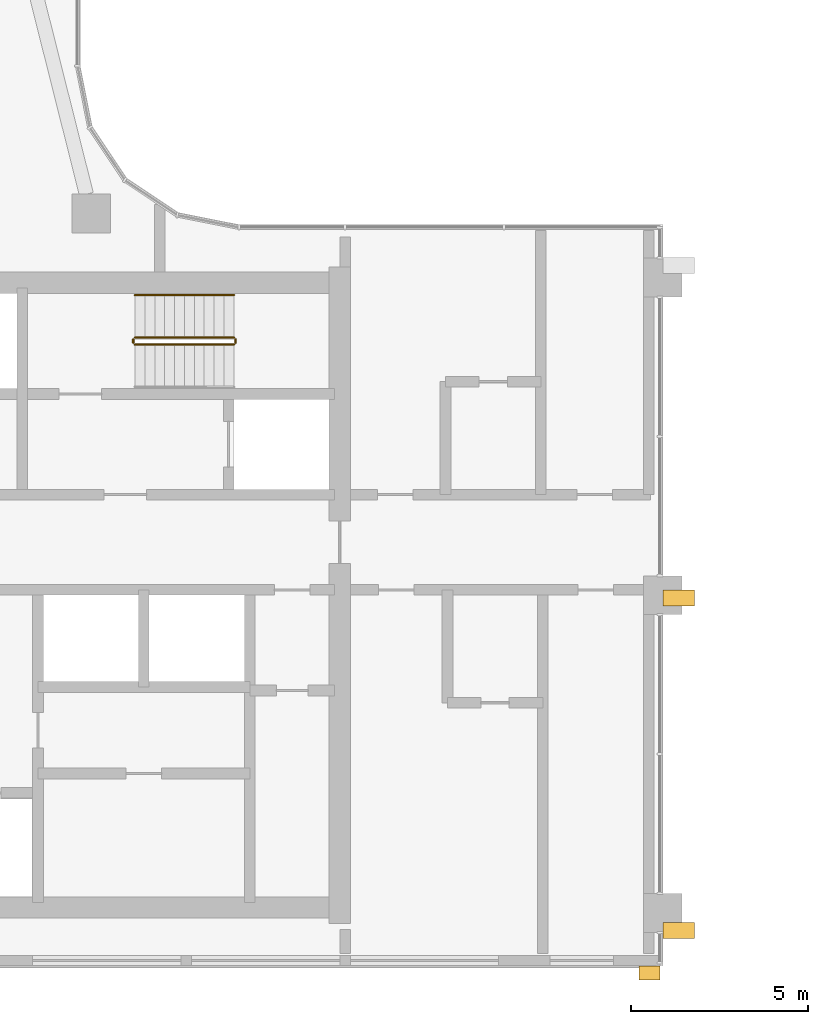
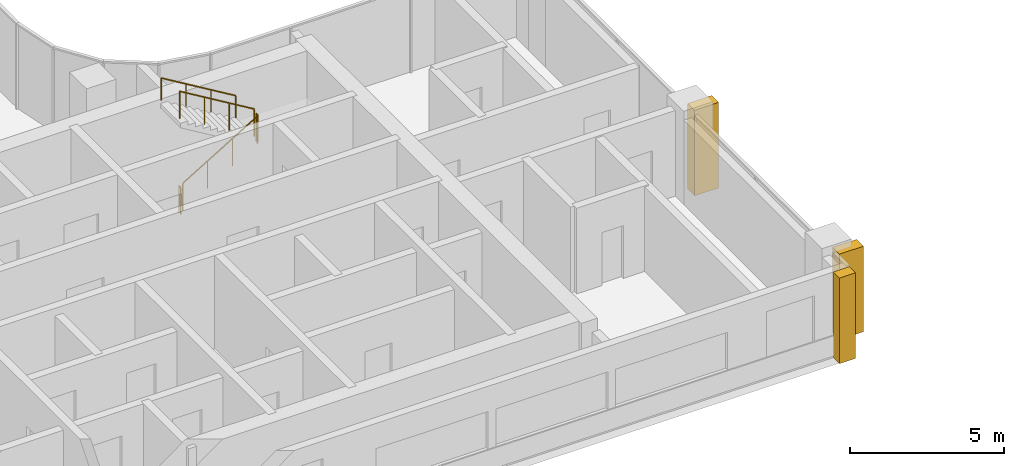
# One storey, part 20 of 23: 5 railings, 3 coverings.
"""IFC4 building model written with IfcOpenShell, lengths in metres."""

import ifcopenshell
import ifcopenshell.guid

model = None  # the IFC model being written
_history = None  # IfcOwnerHistory: only IFC2X3 demands one
_inside = {}  # id of a spatial element -> (the spatial element, [elements in it])
_under = {}  # id of a project, library or spatial element -> (it, [spatial elements below it])
_declared = {}  # id of a project -> (the project, [libraries it declares])
_typed = {}  # id of a type object -> (the type object, [elements of that type])
_made_of = {}  # id of a material, layer set ... -> (it, [elements and type objects made of it])


def new_model(schema):
    """Start an empty IFC model of exactly this schema.

    Asked for "IFC4X3", IfcOpenShell would pick the latest addendum, in which some entities
    have other attributes; the version numbers below select the first issue.
    IFC2X3 requires an IfcOwnerHistory on every rooted entity: one is made here for all.
    """
    global model, _history
    if schema == "IFC4X3":
        model = ifcopenshell.file(schema_version=(4, 3, 0, 0))
    else:
        model = ifcopenshell.file(schema=schema)
    _inside.clear()
    _under.clear()
    _declared.clear()
    _typed.clear()
    _made_of.clear()
    _history = None
    if model.schema == "IFC2X3":
        org = make("IfcOrganization", Name="unknown")
        user = make(
            "IfcPersonAndOrganization",
            ThePerson=make("IfcPerson", FamilyName="unknown"),
            TheOrganization=org,
        )
        app = make(
            "IfcApplication",
            ApplicationDeveloper=org,
            Version="unknown",
            ApplicationFullName="unknown",
            ApplicationIdentifier="unknown",
        )
        _history = make(
            "IfcOwnerHistory",
            OwningUser=user,
            OwningApplication=app,
            ChangeAction="ADDED",
            CreationDate=0,
        )
    return model


def make(cls, **values):
    """One entity of the class cls with the attributes given. An attribute that is None is left unset."""
    return model.create_entity(
        cls, **{name: value for name, value in values.items() if value is not None}
    )


def rooted(cls, **values):
    """An entity with a GlobalId (a new one), such as an element, a storey or a relation."""
    return make(cls, GlobalId=ifcopenshell.guid.new(), OwnerHistory=_history, **values)


def si_unit(unit_type, name, prefix=None):
    """IfcSIUnit, for example si_unit("LENGTHUNIT", "METRE", prefix="MILLI")."""
    return make("IfcSIUnit", UnitType=unit_type, Prefix=prefix, Name=name)


def assignment(units):
    """IfcUnitAssignment: the units of a project."""
    return None if units is None else make("IfcUnitAssignment", Units=units)


def point(xyz):
    """IfcCartesianPoint."""
    return None if xyz is None else make("IfcCartesianPoint", Coordinates=xyz)


def direction(xyz):
    """IfcDirection."""
    return None if xyz is None else make("IfcDirection", DirectionRatios=xyz)


def frame(location, z_axis=None, x_axis=None):
    """IfcAxis2Placement3D, a coordinate frame: its origin and axes. An axis left out is left unset."""
    return make(
        "IfcAxis2Placement3D",
        Location=point(location),
        Axis=direction(z_axis),
        RefDirection=direction(x_axis),
    )


def frame_2d(location, x_axis=None):
    """IfcAxis2Placement2D, a coordinate frame in the plane: its origin and x axis."""
    return make(
        "IfcAxis2Placement2D", Location=point(location), RefDirection=direction(x_axis)
    )


def origin():
    """The frame at (0, 0, 0) with its axes left unset."""
    return frame((0.0, 0.0, 0.0))


def origin_2d():
    """The frame at (0, 0) in the plane with its x axis left unset."""
    return frame_2d((0.0, 0.0))


def place(relative_to, where):
    """IfcLocalPlacement: puts the frame where relative to a parent placement (None: the world)."""
    return make(
        "IfcLocalPlacement", PlacementRelTo=relative_to, RelativePlacement=where
    )


def context(
    kind, dimensions, precision=None, world=None, true_north=None, identifier=None
):
    """IfcGeometricRepresentationContext, for example the 3D "Model" context."""
    return make(
        "IfcGeometricRepresentationContext",
        ContextIdentifier=identifier,
        ContextType=kind,
        CoordinateSpaceDimension=dimensions,
        Precision=precision,
        WorldCoordinateSystem=world,
        TrueNorth=true_north,
    )


def subcontext(parent, identifier, kind, view, scale=None):
    """IfcGeometricRepresentationSubContext, for example "Body" below "Model"."""
    return make(
        "IfcGeometricRepresentationSubContext",
        ContextIdentifier=identifier,
        ContextType=kind,
        ParentContext=parent,
        TargetScale=scale,
        TargetView=view,
    )


def project(units=None, contexts=None):
    """IfcProject with its units and contexts."""
    return rooted(
        "IfcProject",
        Name="project",
        RepresentationContexts=contexts,
        UnitsInContext=assignment(units),
    )


def spatial(cls, under=None, at=None, **own):
    """A site, building, storey or space (cls), placed at a placement, below another one or the project."""
    s = rooted(cls, ObjectPlacement=at, **own)
    if under is not None:
        _under.setdefault(under.id(), (under, []))[1].append(s)
    return s


def profile(cls, at=None, kind="AREA", **sizes):
    """A parametric profile (cls). Its sizes go by their IFC names, for example OverallWidth=200.0."""
    return make(cls, ProfileType=kind, Position=at, **sizes)


def rectangle(**sizes):
    """IfcRectangleProfileDef."""
    return profile("IfcRectangleProfileDef", **sizes)


def circle(**sizes):
    """IfcCircleProfileDef."""
    return profile("IfcCircleProfileDef", **sizes)


def extrude(swept, where, along, depth):
    """IfcExtrudedAreaSolid: the profile swept, set in the frame where, extruded along a direction by depth."""
    return make(
        "IfcExtrudedAreaSolid",
        SweptArea=swept,
        Position=where,
        ExtrudedDirection=direction(along),
        Depth=depth,
    )


def shape(context_of_items, identifier, shape_type, items):
    """IfcShapeRepresentation: the items that make up one representation, for example the "Body"."""
    return make(
        "IfcShapeRepresentation",
        ContextOfItems=context_of_items,
        RepresentationIdentifier=identifier,
        RepresentationType=shape_type,
        Items=items,
    )


def material(Name=None, Category=None):
    """IfcMaterial."""
    return make("IfcMaterial", Name=Name, Category=Category)


def layer(
    of_material, thickness, ventilated=None, Name=None, Category=None, Priority=None
):
    """IfcMaterialLayer: one layer of a wall or slab, of a material (None: an air gap)."""
    return make(
        "IfcMaterialLayer",
        Material=of_material,
        LayerThickness=thickness,
        IsVentilated=ventilated,
        Name=Name,
        Category=Category,
        Priority=Priority,
    )


def layer_set(layers, Name=None):
    """IfcMaterialLayerSet."""
    return make("IfcMaterialLayerSet", MaterialLayers=layers, LayerSetName=Name)


def made_of(thing, what):
    """Note that an element or type object is made of a material, layer set ...; save() writes the relation."""
    if what is not None:
        _made_of.setdefault(what.id(), (what, []))[1].append(thing)
    return thing


def type_object(cls, material=None, **own):
    """A type object (cls), such as IfcWallType, which elements share."""
    return made_of(rooted(cls, **own), material)


def element(
    cls,
    number,
    at=None,
    inside=None,
    cuts=None,
    type_object=None,
    material=None,
    context=None,
    identifier="Body",
    shape_type=None,
    held_by="IfcProductDefinitionShape",
    body=None,
    shapes=None,
    **own,
):
    """One element of the class cls, such as IfcWall. Its Tag is "e" and its number.

    at: its placement. inside: the storey or other place that contains it. cuts: it is an
    opening in that element (IfcRelVoidsElement). A single representation is given by context,
    identifier, shape_type and body (its items); several are given by shapes. held_by: the class
    of the entity that holds the representations. save() writes the other relations.
    """
    e = rooted(cls, Tag="e%d" % number, ObjectPlacement=at, **own)
    if body is not None:
        shapes = [shape(context, identifier, shape_type, body)]
    if shapes is not None:
        e.Representation = make(held_by, Representations=shapes)
    if inside is not None:
        _inside.setdefault(inside.id(), (inside, []))[1].append(e)
    if cuts is not None:
        rooted(
            "IfcRelVoidsElement", RelatingBuildingElement=cuts, RelatedOpeningElement=e
        )
    if type_object is not None:
        _typed.setdefault(type_object.id(), (type_object, []))[1].append(e)
    return made_of(e, material)


def aggregate(whole, parts):
    """IfcRelAggregates: a whole, such as a stair, and the parts it consists of."""
    return rooted("IfcRelAggregates", RelatingObject=whole, RelatedObjects=parts)


def save(model, path):
    """Write the relations noted so far, then the file.

    IfcRelAggregates (storeys below a building ...), IfcRelContainedInSpatialStructure (elements
    in a storey), IfcRelDefinesByType, IfcRelAssociatesMaterial and IfcRelDeclares: one each for
    every whole, place, type object, material and project.
    """
    for whole, parts in _under.values():
        aggregate(whole, parts)
    for where, things in _inside.values():
        rooted(
            "IfcRelContainedInSpatialStructure",
            RelatedElements=things,
            RelatingStructure=where,
        )
    for kind, things in _typed.values():
        rooted("IfcRelDefinesByType", RelatedObjects=things, RelatingType=kind)
    for what, things in _made_of.values():
        rooted("IfcRelAssociatesMaterial", RelatedObjects=things, RelatingMaterial=what)
    for by, libraries in _declared.values():
        rooted("IfcRelDeclares", RelatingContext=by, RelatedDefinitions=libraries)
    model.write(path)


model = new_model("IFC4")

# Units and contexts
model_context = context("Model", 3, precision=1e-05, world=origin(), true_north=direction((0.0, 1.0)))
body_context = subcontext(model_context, "Body", "Model", "MODEL_VIEW")
ifc_project = project(units=[si_unit("LENGTHUNIT", "METRE"), si_unit("AREAUNIT", "SQUARE_METRE"), si_unit("VOLUMEUNIT", "CUBIC_METRE"), si_unit("PLANEANGLEUNIT", "RADIAN"), si_unit("MASSUNIT", "GRAM", prefix="KILO")], contexts=[model_context])

# Site, building, storey
site_placement = place(None, origin())
site = spatial("IfcSite", under=ifc_project, at=site_placement, CompositionType="ELEMENT")
building_placement = place(site_placement, origin())
building = spatial("IfcBuilding", under=site, at=building_placement, Name="Ogive Portal Towers", CompositionType="ELEMENT")
storey_placement = place(building_placement, frame((0.0, 0.0, 149.60009765625)))
storey = spatial("IfcBuildingStorey", under=building, at=storey_placement, Name="L36", CompositionType="ELEMENT", Elevation=149.60009765625)

# Coverings
ifc_material_1 = material(Name="Limestone cladding on lightweight block wall", Category="masonry")
ifc_layer_1 = layer(ifc_material_1, 0.449951171875)
ifc_layer_set_1 = layer_set([ifc_layer_1], Name="BUTTRESS PIER STONE")
covering_type_1 = type_object("IfcCoveringType", Name="BUTTRESS PIER STONE", PredefinedType="CLADDING", material=ifc_layer_set_1)
for number, where, z_axis, x_axis, name in (
    (1, (67.949951171875, 30.419921875, 0.0), (0.0, 0.0, 1.0), (1.0, 0.0, 0.0), "Buttress pier A1-F06.1"),
    (2, (67.949951171875, 21.0, 0.0), (0.0, 0.0, 1.0), (1.0, 0.0, 0.0), "Buttress pier A1-F06.2"),
):
    element("IfcCovering", number, at=place(storey_placement, frame(where, z_axis=z_axis, x_axis=x_axis)), inside=storey, type_object=covering_type_1, Name=name, PredefinedType="CLADDING", context=body_context, shape_type="SweptSolid", body=[
        extrude(rectangle(XDim=0.89990234375, YDim=0.449951171875, at=origin_2d()), origin(), (0.0, 0.0, 1.0), 3.39990234375),
    ])

# Railings
ifc_material_2 = material(Name="Stainless steel balustrade", Category="steel")
railing_type_1 = type_object("IfcRailingType", Name="INT-GUARD", PredefinedType="GUARDRAIL", material=ifc_material_2)
railing_1_placement = place(storey_placement, frame((52.550048828125, 37.60009765625, 0.16796875)))
element("IfcRailing", 3, at=railing_1_placement, inside=storey, type_object=railing_type_1, Name="L36 ST-A2 stair guard 1", PredefinedType="GUARDRAIL", context=body_context, shape_type="SweptSolid", body=[
    extrude(circle(Radius=0.02392578125, at=origin_2d()), frame((0.0, 0.0, 1.076171875), z_axis=(0.857242210791, 0.0, 0.514913383045), x_axis=(0.0, 1.0, 0.0)), (0.0, 0.0, 1.0), 3.266357421875),
    extrude(circle(Radius=0.02099609375, at=origin_2d()), origin(), (0.0, 0.0, 1.0), 1.052001953125),
    extrude(circle(Radius=0.02099609375, at=origin_2d()), frame((0.933349609375, 0.0, 0.560546875)), (0.0, 0.0, 1.0), 1.052001953125),
    extrude(circle(Radius=0.02099609375, at=origin_2d()), frame((1.86669921875, 0.0, 1.121337890625)), (0.0, 0.0, 1.0), 1.052001953125),
    extrude(circle(Radius=0.02099609375, at=origin_2d()), frame((2.800048828125, 0.0, 1.681884765625)), (0.0, 0.0, 1.0), 1.052001953125),
])
railing_2_placement = place(storey_placement, frame((55.39990234375, 37.64990234375, 1.849853515625)))
element("IfcRailing", 4, at=railing_2_placement, inside=storey, type_object=railing_type_1, Name="L36 ST-A2 stair guard 2", PredefinedType="GUARDRAIL", context=body_context, shape_type="SweptSolid", body=[
    extrude(circle(Radius=0.02392578125, at=origin_2d()), frame((0.0, 0.0, 1.076171875), z_axis=(0.0, 1.0, 0.0), x_axis=(-1.0, 0.0, 0.0)), (0.0, 0.0, 1.0), 0.10009765625),
    extrude(circle(Radius=0.02099609375, at=origin_2d()), origin(), (0.0, 0.0, 1.0), 1.052001953125),
    extrude(circle(Radius=0.02099609375, at=origin_2d()), frame((0.0, 0.10009765625, 0.0)), (0.0, 0.0, 1.0), 1.052001953125),
])
railing_3_placement = place(storey_placement, frame((55.35009765625, 37.800048828125, 2.01806640625)))
element("IfcRailing", 5, at=railing_3_placement, inside=storey, type_object=railing_type_1, Name="L36 ST-A2 stair guard 3", PredefinedType="GUARDRAIL", context=body_context, shape_type="SweptSolid", body=[
    extrude(circle(Radius=0.02392578125, at=origin_2d()), frame((0.0, 0.0, 1.076171875), z_axis=(-0.857242210791, 0.0, 0.514913383045), x_axis=(0.0, -1.0, 0.0)), (0.0, 0.0, 1.0), 3.266357421875),
    extrude(circle(Radius=0.02099609375, at=origin_2d()), origin(), (0.0, 0.0, 1.0), 1.052001953125),
    extrude(circle(Radius=0.02099609375, at=origin_2d()), frame((-0.933349609375, 0.0, 0.560546875)), (0.0, 0.0, 1.0), 1.052001953125),
    extrude(circle(Radius=0.02099609375, at=origin_2d()), frame((-1.86669921875, 0.0, 1.121337890625)), (0.0, 0.0, 1.0), 1.052001953125),
    extrude(circle(Radius=0.02099609375, at=origin_2d()), frame((-2.800048828125, 0.0, 1.681884765625)), (0.0, 0.0, 1.0), 1.052001953125),
])
railing_4_placement = place(storey_placement, frame((52.5, 37.64990234375, 0.0)))
element("IfcRailing", 6, at=railing_4_placement, inside=storey, type_object=railing_type_1, Name="L36 ST-A2 stair guard 4", PredefinedType="GUARDRAIL", context=body_context, shape_type="SweptSolid", body=[
    extrude(circle(Radius=0.02392578125, at=origin_2d()), frame((0.0, 0.0, 1.076171875), z_axis=(0.0, 1.0, 0.0), x_axis=(-1.0, 0.0, 0.0)), (0.0, 0.0, 1.0), 0.10009765625),
    extrude(circle(Radius=0.02099609375, at=origin_2d()), origin(), (0.0, 0.0, 1.0), 1.052001953125),
    extrude(circle(Radius=0.02099609375, at=origin_2d()), frame((0.0, 0.10009765625, 0.0)), (0.0, 0.0, 1.0), 1.052001953125),
])
ifc_material_3 = material(Name="Stainless steel handrail", Category="steel")
railing_type_2 = type_object("IfcRailingType", Name="INT-HANDRAIL", PredefinedType="HANDRAIL", material=ifc_material_3)
railing_5_placement = place(storey_placement, frame((55.35009765625, 39.0, 2.01806640625)))
element("IfcRailing", 7, at=railing_5_placement, inside=storey, type_object=railing_type_2, Name="L36 ST-A2 stair handrail 2", PredefinedType="HANDRAIL", context=body_context, shape_type="SweptSolid", body=[
    extrude(circle(Radius=0.02392578125, at=origin_2d()), frame((0.0, 0.0, 0.8759765625), z_axis=(-0.857242210791, 0.0, 0.514913383045), x_axis=(0.0, -1.0, 0.0)), (0.0, 0.0, 1.0), 3.266357421875),
    extrude(circle(Radius=0.02099609375, at=origin_2d()), origin(), (0.0, 0.0, 1.0), 0.851806640625),
    extrude(circle(Radius=0.02099609375, at=origin_2d()), frame((-0.933349609375, 0.0, 0.560546875)), (0.0, 0.0, 1.0), 0.851806640625),
    extrude(circle(Radius=0.02099609375, at=origin_2d()), frame((-1.86669921875, 0.0, 1.121337890625)), (0.0, 0.0, 1.0), 0.851806640625),
    extrude(circle(Radius=0.02099609375, at=origin_2d()), frame((-2.800048828125, 0.0, 1.681884765625)), (0.0, 0.0, 1.0), 0.851806640625),
])

# Covering
ifc_layer_2 = layer(ifc_material_1, 0.39990234375)
ifc_layer_set_2 = layer_set([ifc_layer_2], Name="PORTAL BUTTRESS STONE")
covering_type_2 = type_object("IfcCoveringType", Name="PORTAL BUTTRESS STONE", PredefinedType="CLADDING", material=ifc_layer_set_2)
covering_placement = place(storey_placement, frame((67.1201171875, 19.800048828125, 0.0), z_axis=(0.0, 0.0, 1.0), x_axis=(1.0, 0.0, 0.0)))
element("IfcCovering", 8, at=covering_placement, inside=storey, type_object=covering_type_2, Name="PORTAL BUTTRESS", PredefinedType="CLADDING", context=body_context, shape_type="SweptSolid", body=[
    extrude(rectangle(XDim=0.60009765625, YDim=0.39990234375, at=origin_2d()), origin(), (0.0, 0.0, 1.0), 3.39990234375),
])

save(model, "model.ifc")
